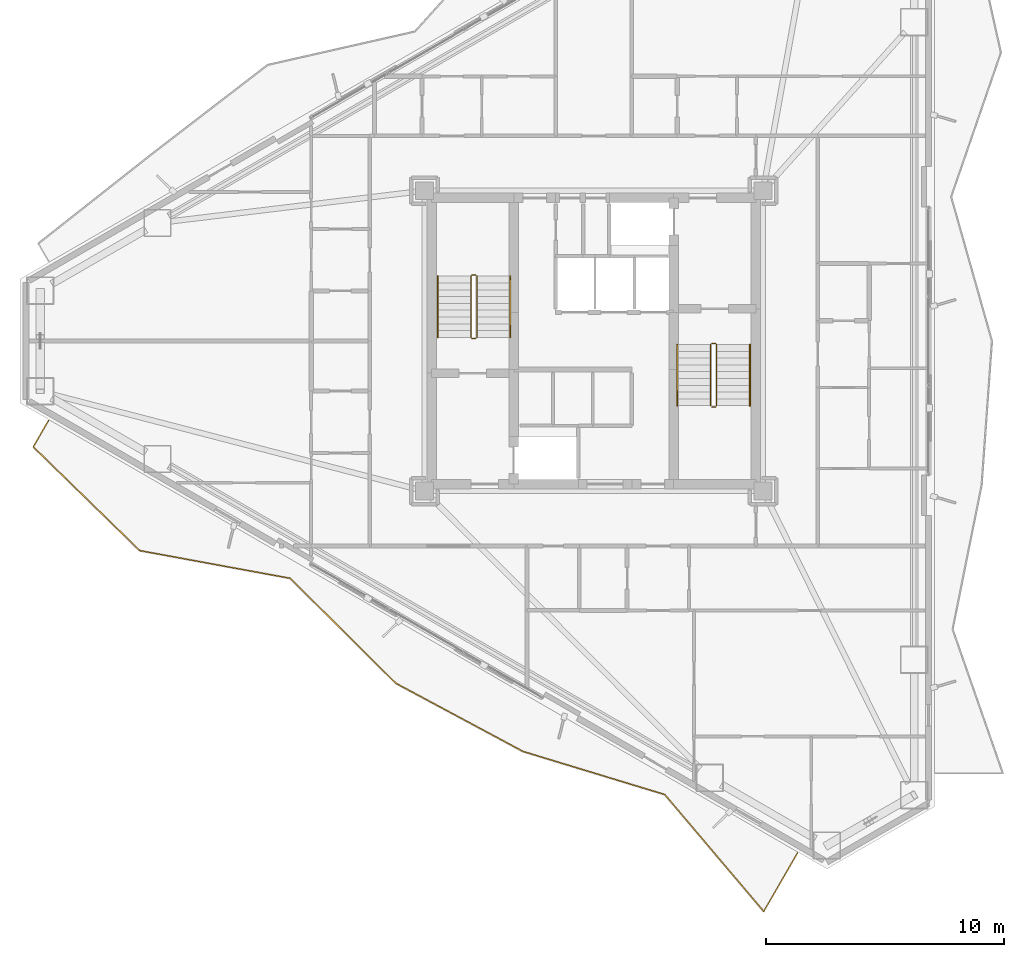
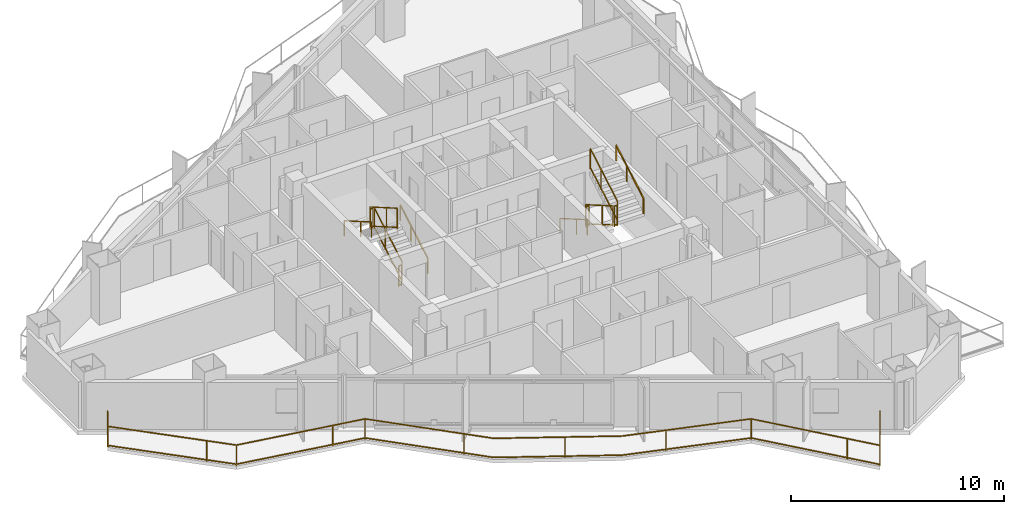
# One storey, part 22 of 23: 13 railings.
"""IFC4 building model written with IfcOpenShell, lengths in metres."""

from ifc_helpers import new_model, si_unit, direction, frame, origin, origin_2d, place, context, subcontext, project, spatial, rectangle, extrude, material, type_object, element, save


model = new_model("IFC4")

# Units and contexts
model_context = context("Model", 3, precision=1e-05, world=origin(), true_north=direction((0.0, 1.0)))
body_context = subcontext(model_context, "Body", "Model", "MODEL_VIEW")
ifc_project = project(units=[si_unit("LENGTHUNIT", "METRE"), si_unit("AREAUNIT", "SQUARE_METRE"), si_unit("VOLUMEUNIT", "CUBIC_METRE"), si_unit("PLANEANGLEUNIT", "RADIAN"), si_unit("MASSUNIT", "GRAM", prefix="KILO")], contexts=[model_context])

# Site, building, storey
site_placement = place(None, origin())
site = spatial("IfcSite", under=ifc_project, at=site_placement, CompositionType="ELEMENT")
building_placement = place(site_placement, origin())
building = spatial("IfcBuilding", under=site, at=building_placement, Name="Mersakhor Tower and Convention Hall", CompositionType="ELEMENT")
storey_placement = place(building_placement, frame((0.0, 0.0, 106.5)))
storey = spatial("IfcBuildingStorey", under=building, at=storey_placement, Name="L29", CompositionType="ELEMENT", Elevation=106.5)

# Railings
ifc_material_1 = material(Name="Powder-coated galvanised steel and laminated glass balustrade", Category="steel")
railing_type_1 = type_object("IfcRailingType", Name="RL-BAL-1200", PredefinedType="BALUSTRADE", material=ifc_material_1)
railing_1_placement = place(storey_placement, frame((6.1240234375, 23.4052734375, 0.0)))
element("IfcRailing", 1, at=railing_1_placement, inside=storey, type_object=railing_type_1, Name="L29 Sinusoidal Balcony Balustrade F3", PredefinedType="BALUSTRADE", context=body_context, shape_type="SweptSolid", body=[
    extrude(rectangle(XDim=0.048095703125, YDim=0.048095703125, at=origin_2d()), frame((0.0, 0.0, 1.17578125), z_axis=(-0.499822960955, -0.8661275932, 0.0), x_axis=(0.8661275932, -0.499822960955, 0.0)), (0.0, 0.0, 1.0), 1.26171875),
    extrude(rectangle(XDim=0.048095703125, YDim=0.048095703125, at=origin_2d()), frame((0.0, 0.0, 0.080078125), z_axis=(-0.499822960955, -0.8661275932, 0.0), x_axis=(0.8661275932, -0.499822960955, 0.0)), (0.0, 0.0, 1.0), 1.26171875),
    extrude(rectangle(XDim=0.048095703125, YDim=0.048095703125, at=origin_2d()), frame((-0.630615234375, -1.0927734375, 1.17578125), z_axis=(0.716166388815, -0.697929583505, 0.0), x_axis=(0.697929583505, 0.716166388815, 0.0)), (0.0, 0.0, 1.0), 6.238525390625),
    extrude(rectangle(XDim=0.048095703125, YDim=0.048095703125, at=origin_2d()), frame((-0.630615234375, -1.0927734375, 0.080078125), z_axis=(0.716166388815, -0.697929583505, 0.0), x_axis=(0.697929583505, 0.716166388815, 0.0)), (0.0, 0.0, 1.0), 6.238525390625),
    extrude(rectangle(XDim=0.048095703125, YDim=0.048095703125, at=origin_2d()), frame((3.837158203125, -5.44677734375, 1.17578125), z_axis=(0.98344837161, -0.181188576841, 0.0), x_axis=(0.181188576841, 0.98344837161, 0.0)), (0.0, 0.0, 1.0), 6.41650390625),
    extrude(rectangle(XDim=0.048095703125, YDim=0.048095703125, at=origin_2d()), frame((3.837158203125, -5.44677734375, 0.080078125), z_axis=(0.98344837161, -0.181188576841, 0.0), x_axis=(0.181188576841, 0.98344837161, 0.0)), (0.0, 0.0, 1.0), 6.41650390625),
    extrude(rectangle(XDim=0.048095703125, YDim=0.048095703125, at=origin_2d()), frame((10.1474609375, -6.609375, 1.17578125), z_axis=(0.709620481707, -0.704584112751, 0.0), x_axis=(0.704584112751, 0.709620481707, 0.0)), (0.0, 0.0, 1.0), 6.25341796875),
    extrude(rectangle(XDim=0.048095703125, YDim=0.048095703125, at=origin_2d()), frame((10.1474609375, -6.609375, 0.080078125), z_axis=(0.709620481707, -0.704584112751, 0.0), x_axis=(0.704584112751, 0.709620481707, 0.0)), (0.0, 0.0, 1.0), 6.25341796875),
    extrude(rectangle(XDim=0.048095703125, YDim=0.048095703125, at=origin_2d()), frame((14.5849609375, -11.015380859375, 1.17578125), z_axis=(0.881438569656, -0.472298685073, 0.0), x_axis=(0.472298685073, 0.881438569656, 0.0)), (0.0, 0.0, 1.0), 6.049560546875),
    extrude(rectangle(XDim=0.048095703125, YDim=0.048095703125, at=origin_2d()), frame((14.5849609375, -11.015380859375, 0.080078125), z_axis=(0.881438569656, -0.472298685073, 0.0), x_axis=(0.472298685073, 0.881438569656, 0.0)), (0.0, 0.0, 1.0), 6.049560546875),
    extrude(rectangle(XDim=0.048095703125, YDim=0.048095703125, at=origin_2d()), frame((19.917236328125, -13.87255859375, 1.17578125), z_axis=(0.956742446106, -0.290936233252, 0.0), x_axis=(0.290936233252, 0.956742446106, 0.0)), (0.0, 0.0, 1.0), 6.207275390625),
    extrude(rectangle(XDim=0.048095703125, YDim=0.048095703125, at=origin_2d()), frame((19.917236328125, -13.87255859375, 0.080078125), z_axis=(0.956742446106, -0.290936233252, 0.0), x_axis=(0.290936233252, 0.956742446106, 0.0)), (0.0, 0.0, 1.0), 6.207275390625),
    extrude(rectangle(XDim=0.048095703125, YDim=0.048095703125, at=origin_2d()), frame((25.85595703125, -15.678466796875, 1.17578125), z_axis=(0.646216482314, -0.763154150867, 0.0), x_axis=(0.763154150867, 0.646216482314, 0.0)), (0.0, 0.0, 1.0), 6.424072265625),
    extrude(rectangle(XDim=0.048095703125, YDim=0.048095703125, at=origin_2d()), frame((25.85595703125, -15.678466796875, 0.080078125), z_axis=(0.646216482314, -0.763154150867, 0.0), x_axis=(0.763154150867, 0.646216482314, 0.0)), (0.0, 0.0, 1.0), 6.424072265625),
    extrude(rectangle(XDim=0.048095703125, YDim=0.048095703125, at=origin_2d()), frame((30.00732421875, -20.5810546875, 1.17578125), z_axis=(0.499947271324, 0.866055844559, 0.0), x_axis=(-0.866055844559, 0.499947271324, 0.0)), (0.0, 0.0, 1.0), 2.820068359375),
    extrude(rectangle(XDim=0.048095703125, YDim=0.048095703125, at=origin_2d()), frame((30.00732421875, -20.5810546875, 0.080078125), z_axis=(0.499947271324, 0.866055844559, 0.0), x_axis=(-0.866055844559, 0.499947271324, 0.0)), (0.0, 0.0, 1.0), 2.820068359375),
    extrude(rectangle(XDim=0.0419921875, YDim=0.0419921875, at=origin_2d()), origin(), (0.0, 0.0, 1.0), 1.15185546875),
    extrude(rectangle(XDim=0.0419921875, YDim=0.0419921875, at=origin_2d()), frame((-0.630615234375, -1.0927734375, 0.0)), (0.0, 0.0, 1.0), 1.15185546875),
    extrude(rectangle(XDim=0.0419921875, YDim=0.0419921875, at=origin_2d()), frame((2.806884765625, -4.44287109375, 0.0)), (0.0, 0.0, 1.0), 1.15185546875),
    extrude(rectangle(XDim=0.0419921875, YDim=0.0419921875, at=origin_2d()), frame((3.837158203125, -5.44677734375, 0.0)), (0.0, 0.0, 1.0), 1.15185546875),
    extrude(rectangle(XDim=0.0419921875, YDim=0.0419921875, at=origin_2d()), frame((8.5576171875, -6.31640625, 0.0)), (0.0, 0.0, 1.0), 1.15185546875),
    extrude(rectangle(XDim=0.0419921875, YDim=0.0419921875, at=origin_2d()), frame((10.1474609375, -6.609375, 0.0)), (0.0, 0.0, 1.0), 1.15185546875),
    extrude(rectangle(XDim=0.0419921875, YDim=0.0419921875, at=origin_2d()), frame((13.5537109375, -9.991455078125, 0.0)), (0.0, 0.0, 1.0), 1.15185546875),
    extrude(rectangle(XDim=0.0419921875, YDim=0.0419921875, at=origin_2d()), frame((17.534912109375, -12.595947265625, 0.0)), (0.0, 0.0, 1.0), 1.15185546875),
    extrude(rectangle(XDim=0.0419921875, YDim=0.0419921875, at=origin_2d()), frame((21.923583984375, -14.482666015625, 0.0)), (0.0, 0.0, 1.0), 1.15185546875),
    extrude(rectangle(XDim=0.0419921875, YDim=0.0419921875, at=origin_2d()), frame((25.85595703125, -15.678466796875, 0.0)), (0.0, 0.0, 1.0), 1.15185546875),
    extrude(rectangle(XDim=0.0419921875, YDim=0.0419921875, at=origin_2d()), frame((28.957763671875, -19.341552734375, 0.0)), (0.0, 0.0, 1.0), 1.15185546875),
    extrude(rectangle(XDim=0.0419921875, YDim=0.0419921875, at=origin_2d()), frame((30.00732421875, -20.5810546875, 0.0)), (0.0, 0.0, 1.0), 1.15185546875),
    extrude(rectangle(XDim=0.0419921875, YDim=0.0419921875, at=origin_2d()), frame((31.417236328125, -18.138671875, 0.0)), (0.0, 0.0, 1.0), 1.15185546875),
])
ifc_material_2 = material(Name="Brushed stainless steel handrail", Category="steel")
railing_type_2 = type_object("IfcRailingType", Name="RL-HR-900", PredefinedType="HANDRAIL", material=ifc_material_2)
railing_2_placement = place(storey_placement, frame((25.5, 26.89990234375, 0.1650390625)))
element("IfcRailing", 2, at=railing_2_placement, inside=storey, type_object=railing_type_2, Name="L29 ST-1 stair handrail 1", PredefinedType="HANDRAIL", context=body_context, shape_type="SweptSolid", body=[
    extrude(rectangle(XDim=0.048095703125, YDim=0.048095703125, at=origin_2d()), frame((0.0, 0.0, 0.8759765625), z_axis=(0.0, 0.865461999751, 0.500974577186), x_axis=(-1.0, 0.0, 0.0)), (0.0, 0.0, 1.0), 2.9638671875),
    extrude(rectangle(XDim=0.0419921875, YDim=0.0419921875, at=origin_2d()), origin(), (0.0, 0.0, 1.0), 0.851806640625),
    extrude(rectangle(XDim=0.0419921875, YDim=0.0419921875, at=origin_2d()), frame((0.0, 1.557861328125, 0.90185546875)), (0.0, 0.0, 1.0), 0.851806640625),
    extrude(rectangle(XDim=0.0419921875, YDim=0.0419921875, at=origin_2d()), frame((0.0, 2.565185546875, 1.48486328125)), (0.0, 0.0, 1.0), 0.851806640625),
])
railing_3_placement = place(storey_placement, frame((22.449951171875, 29.465087890625, 1.81494140625)))
element("IfcRailing", 3, at=railing_3_placement, inside=storey, type_object=railing_type_2, Name="L29 ST-1 stair handrail 2", PredefinedType="HANDRAIL", context=body_context, shape_type="SweptSolid", body=[
    extrude(rectangle(XDim=0.048095703125, YDim=0.048095703125, at=origin_2d()), frame((0.0, 0.0, 0.8759765625), z_axis=(0.0, -0.865426285481, 0.501036270542), x_axis=(1.0, 0.0, 0.0)), (0.0, 0.0, 1.0), 2.964111328125),
    extrude(rectangle(XDim=0.0419921875, YDim=0.0419921875, at=origin_2d()), origin(), (0.0, 0.0, 1.0), 0.851806640625),
    extrude(rectangle(XDim=0.0419921875, YDim=0.0419921875, at=origin_2d()), frame((0.0, -1.557861328125, 0.90185546875)), (0.0, 0.0, 1.0), 0.851806640625),
    extrude(rectangle(XDim=0.0419921875, YDim=0.0419921875, at=origin_2d()), frame((0.0, -2.565185546875, 1.485107421875)), (0.0, 0.0, 1.0), 0.851806640625),
])
railing_4_placement = place(storey_placement, frame((32.5, 26.60009765625, 0.1650390625)))
element("IfcRailing", 4, at=railing_4_placement, inside=storey, type_object=railing_type_2, Name="L29 ST-2 stair handrail 1", PredefinedType="HANDRAIL", context=body_context, shape_type="SweptSolid", body=[
    extrude(rectangle(XDim=0.048095703125, YDim=0.048095703125, at=origin_2d()), frame((0.0, 0.0, 0.8759765625), z_axis=(0.0, -0.865461999751, 0.500974577186), x_axis=(1.0, 0.0, 0.0)), (0.0, 0.0, 1.0), 2.9638671875),
    extrude(rectangle(XDim=0.0419921875, YDim=0.0419921875, at=origin_2d()), origin(), (0.0, 0.0, 1.0), 0.851806640625),
    extrude(rectangle(XDim=0.0419921875, YDim=0.0419921875, at=origin_2d()), frame((0.0, -1.557861328125, 0.90185546875)), (0.0, 0.0, 1.0), 0.851806640625),
    extrude(rectangle(XDim=0.0419921875, YDim=0.0419921875, at=origin_2d()), frame((0.0, -2.565185546875, 1.48486328125)), (0.0, 0.0, 1.0), 0.851806640625),
])
railing_5_placement = place(storey_placement, frame((35.550048828125, 24.034912109375, 1.81494140625)))
element("IfcRailing", 5, at=railing_5_placement, inside=storey, type_object=railing_type_2, Name="L29 ST-2 stair handrail 2", PredefinedType="HANDRAIL", context=body_context, shape_type="SweptSolid", body=[
    extrude(rectangle(XDim=0.048095703125, YDim=0.048095703125, at=origin_2d()), frame((0.0, 0.0, 0.8759765625), z_axis=(0.0, 0.865426285481, 0.501036270542), x_axis=(-1.0, 0.0, 0.0)), (0.0, 0.0, 1.0), 2.964111328125),
    extrude(rectangle(XDim=0.0419921875, YDim=0.0419921875, at=origin_2d()), origin(), (0.0, 0.0, 1.0), 0.851806640625),
    extrude(rectangle(XDim=0.0419921875, YDim=0.0419921875, at=origin_2d()), frame((0.0, 1.557861328125, 0.90185546875)), (0.0, 0.0, 1.0), 0.851806640625),
    extrude(rectangle(XDim=0.0419921875, YDim=0.0419921875, at=origin_2d()), frame((0.0, 2.565185546875, 1.485107421875)), (0.0, 0.0, 1.0), 0.851806640625),
])
ifc_material_3 = material(Name="Painted steel stair balustrade S355", Category="steel")
railing_type_3 = type_object("IfcRailingType", Name="RL-STG-1200", PredefinedType="BALUSTRADE", material=ifc_material_3)
railing_6_placement = place(storey_placement, frame((24.10009765625, 26.89990234375, 0.1650390625)))
element("IfcRailing", 6, at=railing_6_placement, inside=storey, type_object=railing_type_3, Name="L29 ST-1 stair guard 1", PredefinedType="BALUSTRADE", context=body_context, shape_type="SweptSolid", body=[
    extrude(rectangle(XDim=0.048095703125, YDim=0.048095703125, at=origin_2d()), frame((0.0, 0.0, 1.17578125), z_axis=(0.0, 0.865461999751, 0.500974577186), x_axis=(-1.0, 0.0, 0.0)), (0.0, 0.0, 1.0), 2.9638671875),
    extrude(rectangle(XDim=0.048095703125, YDim=0.048095703125, at=origin_2d()), frame((0.0, 0.0, 0.080078125), z_axis=(0.0, 0.865461999751, 0.500974577186), x_axis=(-1.0, 0.0, 0.0)), (0.0, 0.0, 1.0), 2.9638671875),
    extrude(rectangle(XDim=0.0419921875, YDim=0.0419921875, at=origin_2d()), origin(), (0.0, 0.0, 1.0), 1.15185546875),
    extrude(rectangle(XDim=0.0419921875, YDim=0.0419921875, at=origin_2d()), frame((0.0, 1.557861328125, 0.90185546875)), (0.0, 0.0, 1.0), 1.15185546875),
    extrude(rectangle(XDim=0.0419921875, YDim=0.0419921875, at=origin_2d()), frame((0.0, 2.565185546875, 1.48486328125)), (0.0, 0.0, 1.0), 1.15185546875),
])
railing_7_placement = place(storey_placement, frame((24.050048828125, 29.514892578125, 1.64990234375)))
element("IfcRailing", 7, at=railing_7_placement, inside=storey, type_object=railing_type_3, Name="L29 ST-1 stair guard 2", PredefinedType="BALUSTRADE", context=body_context, shape_type="SweptSolid", body=[
    extrude(rectangle(XDim=0.048095703125, YDim=0.048095703125, at=origin_2d()), frame((0.0, 0.0, 1.17578125), z_axis=(-1.0, 0.0, 0.0), x_axis=(0.0, -1.0, 0.0)), (0.0, 0.0, 1.0), 0.150146484375),
    extrude(rectangle(XDim=0.048095703125, YDim=0.048095703125, at=origin_2d()), frame((0.0, 0.0, 0.080078125), z_axis=(-1.0, 0.0, 0.0), x_axis=(0.0, -1.0, 0.0)), (0.0, 0.0, 1.0), 0.150146484375),
    extrude(rectangle(XDim=0.0419921875, YDim=0.0419921875, at=origin_2d()), origin(), (0.0, 0.0, 1.0), 1.15185546875),
    extrude(rectangle(XDim=0.0419921875, YDim=0.0419921875, at=origin_2d()), frame((-0.150146484375, 0.0, 0.0)), (0.0, 0.0, 1.0), 1.15185546875),
])
railing_8_placement = place(storey_placement, frame((23.85009765625, 29.465087890625, 1.81494140625)))
element("IfcRailing", 8, at=railing_8_placement, inside=storey, type_object=railing_type_3, Name="L29 ST-1 stair guard 3", PredefinedType="BALUSTRADE", context=body_context, shape_type="SweptSolid", body=[
    extrude(rectangle(XDim=0.048095703125, YDim=0.048095703125, at=origin_2d()), frame((0.0, 0.0, 1.17578125), z_axis=(0.0, -0.865426285481, 0.501036270542), x_axis=(1.0, 0.0, 0.0)), (0.0, 0.0, 1.0), 2.964111328125),
    extrude(rectangle(XDim=0.048095703125, YDim=0.048095703125, at=origin_2d()), frame((0.0, 0.0, 0.080078125), z_axis=(0.0, -0.865426285481, 0.501036270542), x_axis=(1.0, 0.0, 0.0)), (0.0, 0.0, 1.0), 2.964111328125),
    extrude(rectangle(XDim=0.0419921875, YDim=0.0419921875, at=origin_2d()), origin(), (0.0, 0.0, 1.0), 1.15185546875),
    extrude(rectangle(XDim=0.0419921875, YDim=0.0419921875, at=origin_2d()), frame((0.0, -1.557861328125, 0.90185546875)), (0.0, 0.0, 1.0), 1.15185546875),
    extrude(rectangle(XDim=0.0419921875, YDim=0.0419921875, at=origin_2d()), frame((0.0, -2.565185546875, 1.485107421875)), (0.0, 0.0, 1.0), 1.15185546875),
])
railing_9_placement = place(storey_placement, frame((24.050048828125, 26.85009765625, 0.0)))
element("IfcRailing", 9, at=railing_9_placement, inside=storey, type_object=railing_type_3, Name="L29 ST-1 stair guard 4", PredefinedType="BALUSTRADE", context=body_context, shape_type="SweptSolid", body=[
    extrude(rectangle(XDim=0.048095703125, YDim=0.048095703125, at=origin_2d()), frame((0.0, 0.0, 1.17578125), z_axis=(-1.0, 0.0, 0.0), x_axis=(0.0, -1.0, 0.0)), (0.0, 0.0, 1.0), 0.150146484375),
    extrude(rectangle(XDim=0.048095703125, YDim=0.048095703125, at=origin_2d()), frame((0.0, 0.0, 0.080078125), z_axis=(-1.0, 0.0, 0.0), x_axis=(0.0, -1.0, 0.0)), (0.0, 0.0, 1.0), 0.150146484375),
    extrude(rectangle(XDim=0.0419921875, YDim=0.0419921875, at=origin_2d()), origin(), (0.0, 0.0, 1.0), 1.15185546875),
    extrude(rectangle(XDim=0.0419921875, YDim=0.0419921875, at=origin_2d()), frame((-0.150146484375, 0.0, 0.0)), (0.0, 0.0, 1.0), 1.15185546875),
])
railing_10_placement = place(storey_placement, frame((33.89990234375, 26.60009765625, 0.1650390625)))
element("IfcRailing", 10, at=railing_10_placement, inside=storey, type_object=railing_type_3, Name="L29 ST-2 stair guard 1", PredefinedType="BALUSTRADE", context=body_context, shape_type="SweptSolid", body=[
    extrude(rectangle(XDim=0.048095703125, YDim=0.048095703125, at=origin_2d()), frame((0.0, 0.0, 1.17578125), z_axis=(0.0, -0.865461999751, 0.500974577186), x_axis=(1.0, 0.0, 0.0)), (0.0, 0.0, 1.0), 2.9638671875),
    extrude(rectangle(XDim=0.048095703125, YDim=0.048095703125, at=origin_2d()), frame((0.0, 0.0, 0.080078125), z_axis=(0.0, -0.865461999751, 0.500974577186), x_axis=(1.0, 0.0, 0.0)), (0.0, 0.0, 1.0), 2.9638671875),
    extrude(rectangle(XDim=0.0419921875, YDim=0.0419921875, at=origin_2d()), origin(), (0.0, 0.0, 1.0), 1.15185546875),
    extrude(rectangle(XDim=0.0419921875, YDim=0.0419921875, at=origin_2d()), frame((0.0, -1.557861328125, 0.90185546875)), (0.0, 0.0, 1.0), 1.15185546875),
    extrude(rectangle(XDim=0.0419921875, YDim=0.0419921875, at=origin_2d()), frame((0.0, -2.565185546875, 1.48486328125)), (0.0, 0.0, 1.0), 1.15185546875),
])
railing_11_placement = place(storey_placement, frame((33.949951171875, 23.985107421875, 1.64990234375)))
element("IfcRailing", 11, at=railing_11_placement, inside=storey, type_object=railing_type_3, Name="L29 ST-2 stair guard 2", PredefinedType="BALUSTRADE", context=body_context, shape_type="SweptSolid", body=[
    extrude(rectangle(XDim=0.048095703125, YDim=0.048095703125, at=origin_2d()), frame((0.0, 0.0, 1.17578125), z_axis=(1.0, 0.0, 0.0), x_axis=(0.0, 1.0, 0.0)), (0.0, 0.0, 1.0), 0.150146484375),
    extrude(rectangle(XDim=0.048095703125, YDim=0.048095703125, at=origin_2d()), frame((0.0, 0.0, 0.080078125), z_axis=(1.0, 0.0, 0.0), x_axis=(0.0, 1.0, 0.0)), (0.0, 0.0, 1.0), 0.150146484375),
    extrude(rectangle(XDim=0.0419921875, YDim=0.0419921875, at=origin_2d()), origin(), (0.0, 0.0, 1.0), 1.15185546875),
    extrude(rectangle(XDim=0.0419921875, YDim=0.0419921875, at=origin_2d()), frame((0.150146484375, 0.0, 0.0)), (0.0, 0.0, 1.0), 1.15185546875),
])
railing_12_placement = place(storey_placement, frame((34.14990234375, 24.034912109375, 1.81494140625)))
element("IfcRailing", 12, at=railing_12_placement, inside=storey, type_object=railing_type_3, Name="L29 ST-2 stair guard 3", PredefinedType="BALUSTRADE", context=body_context, shape_type="SweptSolid", body=[
    extrude(rectangle(XDim=0.048095703125, YDim=0.048095703125, at=origin_2d()), frame((0.0, 0.0, 1.17578125), z_axis=(0.0, 0.865426285481, 0.501036270542), x_axis=(-1.0, 0.0, 0.0)), (0.0, 0.0, 1.0), 2.964111328125),
    extrude(rectangle(XDim=0.048095703125, YDim=0.048095703125, at=origin_2d()), frame((0.0, 0.0, 0.080078125), z_axis=(0.0, 0.865426285481, 0.501036270542), x_axis=(-1.0, 0.0, 0.0)), (0.0, 0.0, 1.0), 2.964111328125),
    extrude(rectangle(XDim=0.0419921875, YDim=0.0419921875, at=origin_2d()), origin(), (0.0, 0.0, 1.0), 1.15185546875),
    extrude(rectangle(XDim=0.0419921875, YDim=0.0419921875, at=origin_2d()), frame((0.0, 1.557861328125, 0.90185546875)), (0.0, 0.0, 1.0), 1.15185546875),
    extrude(rectangle(XDim=0.0419921875, YDim=0.0419921875, at=origin_2d()), frame((0.0, 2.565185546875, 1.485107421875)), (0.0, 0.0, 1.0), 1.15185546875),
])
railing_13_placement = place(storey_placement, frame((33.949951171875, 26.64990234375, 0.0)))
element("IfcRailing", 13, at=railing_13_placement, inside=storey, type_object=railing_type_3, Name="L29 ST-2 stair guard 4", PredefinedType="BALUSTRADE", context=body_context, shape_type="SweptSolid", body=[
    extrude(rectangle(XDim=0.048095703125, YDim=0.048095703125, at=origin_2d()), frame((0.0, 0.0, 1.17578125), z_axis=(1.0, 0.0, 0.0), x_axis=(0.0, 1.0, 0.0)), (0.0, 0.0, 1.0), 0.150146484375),
    extrude(rectangle(XDim=0.048095703125, YDim=0.048095703125, at=origin_2d()), frame((0.0, 0.0, 0.080078125), z_axis=(1.0, 0.0, 0.0), x_axis=(0.0, 1.0, 0.0)), (0.0, 0.0, 1.0), 0.150146484375),
    extrude(rectangle(XDim=0.0419921875, YDim=0.0419921875, at=origin_2d()), origin(), (0.0, 0.0, 1.0), 1.15185546875),
    extrude(rectangle(XDim=0.0419921875, YDim=0.0419921875, at=origin_2d()), frame((0.150146484375, 0.0, 0.0)), (0.0, 0.0, 1.0), 1.15185546875),
])

save(model, "model.ifc")
